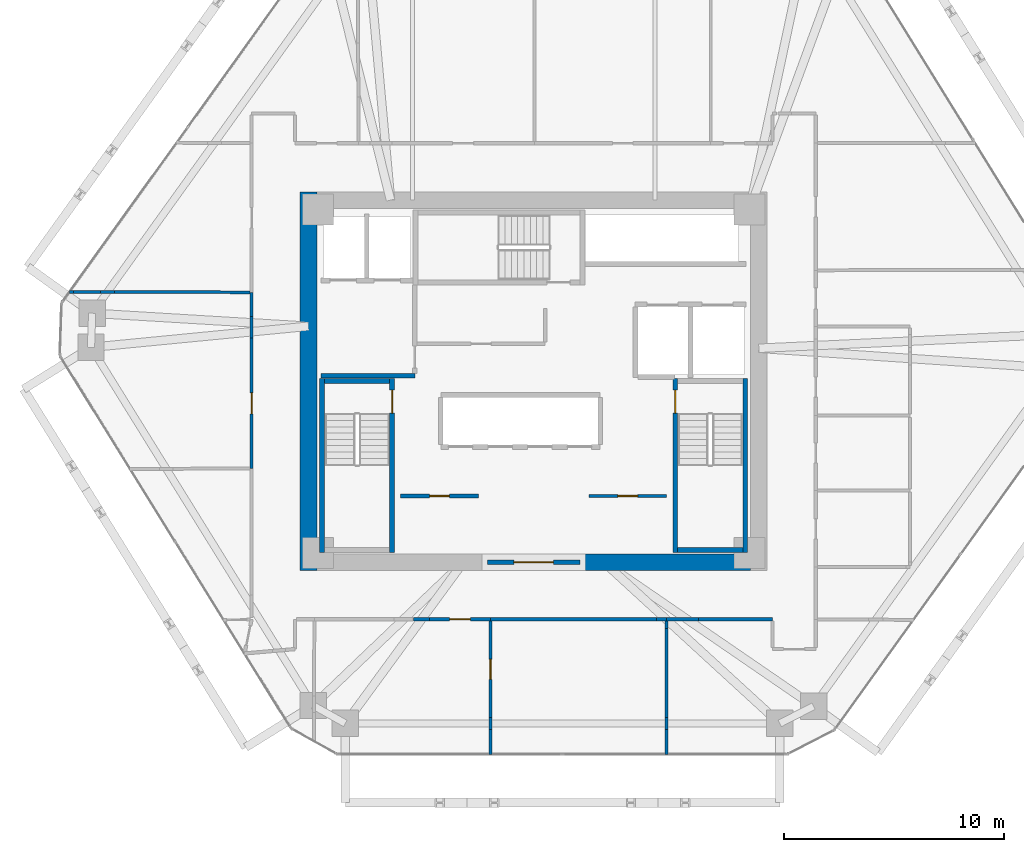
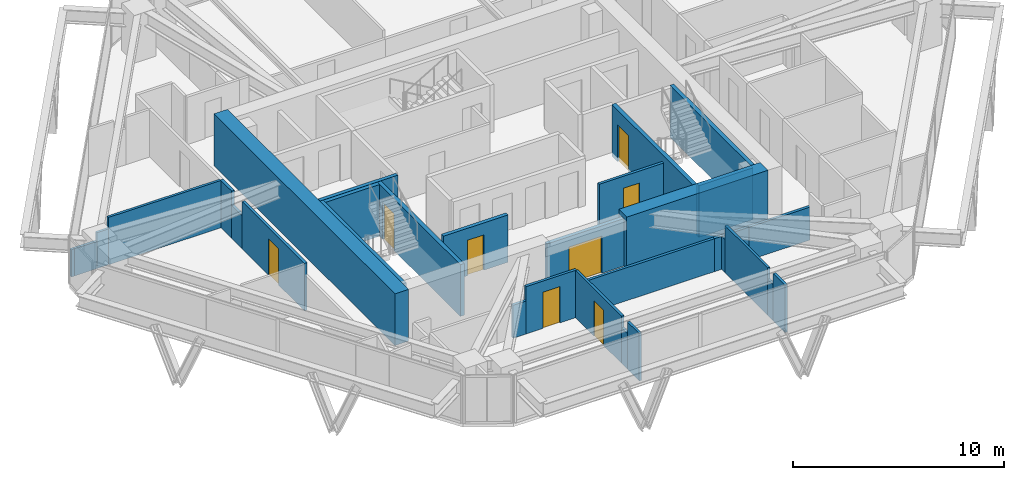
# One storey, part 10 of 14: 32 walls, 8 doors, 8 openings.
"""IFC4 building model written with IfcOpenShell, lengths in metres."""

from ifc_helpers import new_model, si_unit, direction, frame, frame_2d, origin, place, context, subcontext, project, spatial, rectangle, extrude, source, transform, mapped, material, layer, layer_set, type_object, type_shapes, element, fill, save


model = new_model("IFC4")

# Units and contexts
model_context = context("Model", 3, precision=1e-05, world=origin(), true_north=direction((0.0, 1.0)))
body_context = subcontext(model_context, "Body", "Model", "MODEL_VIEW")
ifc_project = project(units=[si_unit("LENGTHUNIT", "METRE"), si_unit("AREAUNIT", "SQUARE_METRE"), si_unit("VOLUMEUNIT", "CUBIC_METRE"), si_unit("PLANEANGLEUNIT", "RADIAN"), si_unit("MASSUNIT", "GRAM", prefix="KILO")], contexts=[model_context])

# Site, building, storey
site_placement = place(None, origin())
site = spatial("IfcSite", under=ifc_project, at=site_placement, CompositionType="ELEMENT")
building_placement = place(site_placement, origin())
building = spatial("IfcBuilding", under=site, at=building_placement, Name="Durnholm Broadcast Tower", CompositionType="ELEMENT")
storey_placement = place(building_placement, frame((0.0, 0.0, 140.10009765625)))
storey = spatial("IfcBuildingStorey", under=building, at=storey_placement, Name="L38", CompositionType="ELEMENT", Elevation=140.10009765625)

# Walls
ifc_material_1 = material(Name="Concrete C70/85", Category="concrete")
ifc_layer_1 = layer(ifc_material_1, 0.75)
ifc_layer_set_1 = layer_set([ifc_layer_1], Name="Concrete C70/85")
wall_type_1 = type_object("IfcWallType", Name="WALL-CW-750", PredefinedType="SHEAR", material=ifc_layer_set_1)
wall_1_placement = place(storey_placement, frame((-10.22509765625, -8.60009765625, 0.0), z_axis=(0.0, 0.0, 1.0), x_axis=(0.0, 1.0, 0.0)))
element("IfcWall", 1, at=wall_1_placement, inside=storey, type_object=wall_type_1, Name="L38 central core shear wall CW-WEST", PredefinedType="SHEAR", context=body_context, shape_type="SweptSolid", body=[
    extrude(rectangle(XDim=17.2001953125, YDim=0.75, at=frame_2d((8.60009765625, 0.0))), origin(), (0.0, 0.0, 1.0), 3.0),
])
wall_2_placement = place(storey_placement, frame((2.10009765625, -8.22509765625, 0.0), z_axis=(0.0, 0.0, 1.0), x_axis=(1.0, 0.0, 0.0)))
element("IfcWall", 2, at=wall_2_placement, inside=storey, type_object=wall_type_1, Name="L38 central core shear wall CW-S2", PredefinedType="SHEAR", context=body_context, shape_type="SweptSolid", body=[
    extrude(rectangle(XDim=7.75, YDim=0.75, at=frame_2d((3.875, 0.0))), origin(), (0.0, 0.0, 1.0), 3.0),
])

# Wall, opening, door
ifc_material_2 = material(Name="Fire-Rated Gypsum Shaftwall", Category="concrete")
ifc_layer_2 = layer(ifc_material_2, 0.199951171875)
ifc_layer_set_2 = layer_set([ifc_layer_2], Name="Fire-Rated Gypsum Shaftwall")
wall_type_2 = type_object("IfcWallType", Name="WALL-LOB-200", PredefinedType="SOLIDWALL", material=ifc_layer_set_2)
wall_3_placement = place(storey_placement, frame((-2.10009765625, -8.22509765625, 0.0), z_axis=(0.0, 0.0, 1.0), x_axis=(1.0, 0.0, 0.0)))
wall_3 = element("IfcWall", 3, at=wall_3_placement, inside=storey, type_object=wall_type_2, Name="L38 south core lobby fire screen", PredefinedType="SOLIDWALL", context=body_context, shape_type="SweptSolid", body=[
    extrude(rectangle(XDim=4.2001953125, YDim=0.199951171875, at=frame_2d((2.10009765625, 0.0))), origin(), (0.0, 0.0, 1.0), 2.744873046875),
])
opening_1_placement = place(wall_3_placement, frame((1.199951171875, 0.0, 0.0)))
opening_1 = element("IfcOpeningElement", 4, at=opening_1_placement, cuts=wall_3, Name="Opening DP-60", PredefinedType="OPENING", context=body_context, shape_type="SweptSolid", body=[
    extrude(rectangle(XDim=1.800048828125, YDim=2.14990234375, at=frame_2d((0.89990234375, 1.074951171875))), frame((0.0, 0.10986328125, 0.0), z_axis=(0.0, -1.0, 0.0), x_axis=(1.0, 0.0, 0.0)), (0.0, 0.0, 1.0), 0.219970703125),
])
ifc_material_3 = material(Name="Fire-Rated Double Corridor Door", Category="steel")
ifc_layer_3 = layer(ifc_material_3, 0.050048828125)
ifc_layer_set_3 = layer_set([ifc_layer_3], Name="Fire-Rated Double Corridor Door")
door_type_1 = type_object("IfcDoorType", Name="DOOR-PAIR-FD60", OperationType="DOUBLE_DOOR_SINGLE_SWING", PredefinedType="DOOR", material=ifc_layer_set_3)
shared_shape_1 = source(origin(), body_context, "Body", "SweptSolid", [
    extrude(rectangle(XDim=1.800048828125, YDim=2.14990234375, at=frame_2d((0.89990234375, 1.074951171875))), frame((0.0, 0.02490234375, 0.0), z_axis=(0.0, -1.0, 0.0), x_axis=(1.0, 0.0, 0.0)), (0.0, 0.0, 1.0), 0.050048828125),
])
type_shapes(door_type_1, [shared_shape_1])
door_1_placement = place(opening_1_placement, origin())
door_1 = element("IfcDoor", 5, at=door_1_placement, inside=storey, type_object=door_type_1, Name="L38 south core lobby double fire door", OperationType="DOUBLE_DOOR_SINGLE_SWING", OverallHeight=2.14990234375, OverallWidth=1.800048828125, PredefinedType="DOOR", context=body_context, shape_type="MappedRepresentation", body=[
    mapped(shared_shape_1, transform((0.0, 0.0, 0.0), x_axis=(1.0, 0.0, 0.0), y_axis=(0.0, 1.0, 0.0), z_axis=(0.0, 0.0, 1.0), scale=1.0)),
])
fill(opening_1, door_1)

# Wall
wall_4_placement = place(storey_placement, frame((-9.64990234375, 0.25, 0.0), z_axis=(0.0, 0.0, 1.0), x_axis=(1.0, 0.0, 0.0)))
element("IfcWall", 6, at=wall_4_placement, inside=storey, type_object=wall_type_2, Name="L38 Fire Service Access Elevator lobby south wall", PredefinedType="SOLIDWALL", context=body_context, shape_type="SweptSolid", body=[
    extrude(rectangle(XDim=4.27001953125, YDim=0.199951171875, at=frame_2d((2.135009765625, 0.0))), origin(), (0.0, 0.0, 1.0), 2.744873046875),
])

# Wall, opening, door
wall_5_placement = place(storey_placement, frame((-6.0400390625, -5.2099609375, 0.0), z_axis=(0.0, 0.0, 1.0), x_axis=(1.0, 0.0, 0.0)))
wall_5 = element("IfcWall", 7, at=wall_5_placement, inside=storey, type_object=wall_type_2, Name="L38 Broadcast Signal Rack Room corridor partition", PredefinedType="SOLIDWALL", context=body_context, shape_type="SweptSolid", body=[
    extrude(rectangle(XDim=3.530029296875, YDim=0.199951171875, at=frame_2d((1.76513671875, 0.0))), origin(), (0.0, 0.0, 1.0), 2.744873046875),
])
opening_2_placement = place(wall_5_placement, frame((1.31494140625, 0.0, 0.0)))
opening_2 = element("IfcOpeningElement", 8, at=opening_2_placement, cuts=wall_5, Name="Opening DC-60L", PredefinedType="OPENING", context=body_context, shape_type="SweptSolid", body=[
    extrude(rectangle(XDim=0.89990234375, YDim=2.050048828125, at=frame_2d((0.449951171875, 1.02490234375))), frame((0.0, 0.10986328125, 0.0), z_axis=(0.0, -1.0, 0.0), x_axis=(1.0, 0.0, 0.0)), (0.0, 0.0, 1.0), 0.219970703125),
])
ifc_material_4 = material(Name="Fire-Rated Core Service Door", Category="steel")
ifc_layer_4 = layer(ifc_material_4, 0.050048828125)
ifc_layer_set_4 = layer_set([ifc_layer_4], Name="Fire-Rated Core Service Door")
door_type_2 = type_object("IfcDoorType", Name="DOOR-CORE-FD60-L", OperationType="NOTDEFINED", PredefinedType="DOOR", material=ifc_layer_set_4)
shared_shape_2 = source(origin(), body_context, "Body", "SweptSolid", [
    extrude(rectangle(XDim=0.89990234375, YDim=2.050048828125, at=frame_2d((0.449951171875, 1.02490234375))), frame((0.0, 0.02490234375, 0.0), z_axis=(0.0, -1.0, 0.0), x_axis=(1.0, 0.0, 0.0)), (0.0, 0.0, 1.0), 0.050048828125),
])
type_shapes(door_type_2, [shared_shape_2])
door_2_placement = place(opening_2_placement, origin())
door_2 = element("IfcDoor", 9, at=door_2_placement, inside=storey, type_object=door_type_2, Name="L38 Broadcast Signal Rack Room entrance door", OperationType="SINGLE_SWING_LEFT", OverallHeight=2.050048828125, OverallWidth=0.89990234375, PredefinedType="DOOR", context=body_context, shape_type="MappedRepresentation", body=[
    mapped(shared_shape_2, transform((0.0, 0.0, 0.0), x_axis=(1.0, 0.0, 0.0), y_axis=(0.0, 1.0, 0.0), z_axis=(0.0, 0.0, 1.0), scale=1.0)),
])
fill(opening_2, door_2)

ifc_material_5 = material(Name="Gypsum Metal Stud Partition", Category="concrete")
ifc_layer_5 = layer(ifc_material_5, 0.135009765625)
ifc_layer_set_5 = layer_set([ifc_layer_5], Name="Gypsum Metal Stud Partition")
wall_type_3 = type_object("IfcWallType", Name="WALL-PART-135", PredefinedType="PARTITIONING", material=ifc_layer_set_5)
wall_6_placement = place(storey_placement, frame((-1.9599609375, -10.888916015625, 0.0), z_axis=(0.0, 0.0, 1.0), x_axis=(0.0, -1.0, 0.0)))
wall_6 = element("IfcWall", 10, at=wall_6_placement, inside=storey, type_object=wall_type_3, Name="L38 room dividing partition 12.13", PredefinedType="PARTITIONING", context=body_context, shape_type="SweptSolid", body=[
    extrude(rectangle(XDim=4.383544921875, YDim=0.135009765625, at=frame_2d((2.19189453125, 0.0))), origin(), (0.0, 0.0, 1.0), 2.744873046875),
])
opening_3_placement = place(wall_6_placement, frame((1.74169921875, 0.0, 0.0)))
opening_3 = element("IfcOpeningElement", 11, at=opening_3_placement, cuts=wall_6, Name="Opening DW-90L", PredefinedType="OPENING", context=body_context, shape_type="SweptSolid", body=[
    extrude(rectangle(XDim=0.89990234375, YDim=2.050048828125, at=frame_2d((0.449951171875, 1.02490234375))), frame((0.0, 0.07763671875, 0.0), z_axis=(0.0, -1.0, 0.0), x_axis=(1.0, 0.0, 0.0)), (0.0, 0.0, 1.0), 0.155029296875),
])
ifc_material_6 = material(Name="Laminate Restroom Door", Category="steel")
ifc_layer_6 = layer(ifc_material_6, 0.050048828125)
ifc_layer_set_6 = layer_set([ifc_layer_6], Name="Laminate Restroom Door")
door_type_3 = type_object("IfcDoorType", Name="DOOR-WC-900L", OperationType="NOTDEFINED", PredefinedType="DOOR", material=ifc_layer_set_6)
shared_shape_3 = source(origin(), body_context, "Body", "SweptSolid", [
    extrude(rectangle(XDim=0.89990234375, YDim=2.050048828125, at=frame_2d((0.449951171875, 1.02490234375))), frame((0.0, 0.02490234375, 0.0), z_axis=(0.0, -1.0, 0.0), x_axis=(1.0, 0.0, 0.0)), (0.0, 0.0, 1.0), 0.050048828125),
])
type_shapes(door_type_3, [shared_shape_3])
door_3_placement = place(opening_3_placement, origin())
door_3 = element("IfcDoor", 12, at=door_3_placement, inside=storey, type_object=door_type_3, Name="L38 Regulatory Office connecting door", OperationType="SINGLE_SWING_LEFT", OverallHeight=2.050048828125, OverallWidth=0.89990234375, PredefinedType="DOOR", context=body_context, shape_type="MappedRepresentation", body=[
    mapped(shared_shape_3, transform((0.0, 0.0, 0.0), x_axis=(1.0, 0.0, 0.0), y_axis=(0.0, 1.0, 0.0), z_axis=(0.0, 0.0, 1.0), scale=1.0)),
])
fill(opening_3, door_3)

# Walls
wall_7_placement = place(storey_placement, frame((-1.9599609375, -15.801513671875, 0.0), z_axis=(0.0, 0.0, 1.0), x_axis=(0.0, -1.0, 0.0)))
element("IfcWall", 13, at=wall_7_placement, inside=storey, type_object=wall_type_3, Name="L38 room dividing partition 12.13", PredefinedType="PARTITIONING", context=body_context, shape_type="SweptSolid", body=[
    extrude(rectangle(XDim=1.135498046875, YDim=0.135009765625, at=frame_2d((0.56787109375, 0.0))), origin(), (0.0, 0.0, 1.0), 2.744873046875),
])
wall_8_placement = place(storey_placement, frame((-1.9599609375, -15.2724609375, 0.0), z_axis=(0.0, 0.0, 1.0), x_axis=(0.0, -1.0, 0.0)))
element("IfcWall", 14, at=wall_8_placement, inside=storey, type_object=wall_type_3, Name="L38 room dividing partition 12.13", PredefinedType="PARTITIONING", context=body_context, shape_type="SweptSolid", body=[
    extrude(rectangle(XDim=0.529052734375, YDim=0.135009765625, at=frame_2d((0.2646484375, 0.0))), origin(), (0.0, 0.0, 1.0), 2.079833984375),
])
wall_9_placement = place(storey_placement, frame((6.0400390625, -11.225341796875, 0.0), z_axis=(0.0, 0.0, 1.0), x_axis=(0.0, -1.0, 0.0)))
element("IfcWall", 15, at=wall_9_placement, inside=storey, type_object=wall_type_3, Name="L38 room dividing partition 13.14", PredefinedType="PARTITIONING", context=body_context, shape_type="SweptSolid", body=[
    extrude(rectangle(XDim=4.047119140625, YDim=0.135009765625, at=frame_2d((2.0234375, 0.0))), origin(), (0.0, 0.0, 1.0), 2.744873046875),
])
wall_10_placement = place(storey_placement, frame((6.0400390625, -15.801513671875, 0.0), z_axis=(0.0, 0.0, 1.0), x_axis=(0.0, -1.0, 0.0)))
element("IfcWall", 16, at=wall_10_placement, inside=storey, type_object=wall_type_3, Name="L38 room dividing partition 13.14", PredefinedType="PARTITIONING", context=body_context, shape_type="SweptSolid", body=[
    extrude(rectangle(XDim=1.135498046875, YDim=0.135009765625, at=frame_2d((0.56787109375, 0.0))), origin(), (0.0, 0.0, 1.0), 2.744873046875),
])
wall_11_placement = place(storey_placement, frame((6.0400390625, -10.888916015625, 0.0), z_axis=(0.0, 0.0, 1.0), x_axis=(0.0, -1.0, 0.0)))
element("IfcWall", 17, at=wall_11_placement, inside=storey, type_object=wall_type_3, Name="L38 room dividing partition 13.14", PredefinedType="PARTITIONING", context=body_context, shape_type="SweptSolid", body=[
    extrude(rectangle(XDim=0.33642578125, YDim=0.135009765625, at=frame_2d((0.168212890625, 0.0))), origin(), (0.0, 0.0, 1.0), 1.912109375),
])
wall_12_placement = place(storey_placement, frame((6.0400390625, -15.2724609375, 0.0), z_axis=(0.0, 0.0, 1.0), x_axis=(0.0, -1.0, 0.0)))
element("IfcWall", 18, at=wall_12_placement, inside=storey, type_object=wall_type_3, Name="L38 room dividing partition 13.14", PredefinedType="PARTITIONING", context=body_context, shape_type="SweptSolid", body=[
    extrude(rectangle(XDim=0.529052734375, YDim=0.135009765625, at=frame_2d((0.2646484375, 0.0))), origin(), (0.0, 0.0, 1.0), 2.079833984375),
])
wall_13_placement = place(storey_placement, frame((-20.9013671875, 4.062744140625, 0.0), z_axis=(0.0, 0.0, 1.0), x_axis=(0.999996083157, -0.002798869485, 0.0)))
element("IfcWall", 19, at=wall_13_placement, inside=storey, type_object=wall_type_3, Name="L38 room dividing partition 16.17", PredefinedType="PARTITIONING", context=body_context, shape_type="SweptSolid", body=[
    extrude(rectangle(XDim=1.22119140625, YDim=0.135009765625, at=frame_2d((0.610595703125, 0.0))), origin(), (0.0, 0.0, 1.0), 1.576904296875),
])
wall_14_placement = place(storey_placement, frame((-19.030029296875, 4.0576171875, 0.0), z_axis=(0.0, 0.0, 1.0), x_axis=(0.999996016453, -0.002822601462, 0.0)))
element("IfcWall", 20, at=wall_14_placement, inside=storey, type_object=wall_type_3, Name="L38 room dividing partition 16.17", PredefinedType="PARTITIONING", context=body_context, shape_type="SweptSolid", body=[
    extrude(rectangle(XDim=6.14111328125, YDim=0.135009765625, at=frame_2d((3.070556640625, 0.0))), origin(), (0.0, 0.0, 1.0), 2.744873046875),
])
wall_15_placement = place(storey_placement, frame((-21.075439453125, 4.063232421875, 0.0), z_axis=(0.0, 0.0, 1.0), x_axis=(0.999996065873, -0.002805038053, 0.0)))
element("IfcWall", 21, at=wall_15_placement, inside=storey, type_object=wall_type_3, Name="L38 room dividing partition 16.17", PredefinedType="PARTITIONING", context=body_context, shape_type="SweptSolid", body=[
    extrude(rectangle(XDim=0.174072265625, YDim=0.135009765625, at=frame_2d((0.0869140625, 0.0))), origin(), (0.0, 0.0, 1.0), 1.576904296875),
])
wall_16_placement = place(storey_placement, frame((-19.68017578125, 4.059326171875, 0.0), z_axis=(0.0, 0.0, 1.0), x_axis=(0.999996545211, -0.002628605263, 0.0)))
element("IfcWall", 22, at=wall_16_placement, inside=storey, type_object=wall_type_3, Name="L38 room dividing partition 16.17", PredefinedType="PARTITIONING", context=body_context, shape_type="SweptSolid", body=[
    extrude(rectangle(XDim=0.650146484375, YDim=0.135009765625, at=frame_2d((0.3251953125, 0.0))), origin(), (0.0, 0.0, 1.0), 2.079833984375),
])

# Wall, opening, door
ifc_material_7 = material(Name="Acoustic Gypsum Stud Partition", Category="concrete")
ifc_layer_7 = layer(ifc_material_7, 0.14990234375)
ifc_layer_set_7 = layer_set([ifc_layer_7], Name="Acoustic Gypsum Stud Partition")
wall_type_4 = type_object("IfcWallType", Name="WALL-PART-150", PredefinedType="PARTITIONING", material=ifc_layer_set_7)
wall_17_placement = place(storey_placement, frame((2.510009765625, -5.2099609375, 0.0), z_axis=(0.0, 0.0, 1.0), x_axis=(1.0, 0.0, 0.0)))
wall_17 = element("IfcWall", 23, at=wall_17_placement, inside=storey, type_object=wall_type_4, Name="L38 Editorial Beverage Pantry corridor partition", PredefinedType="PARTITIONING", context=body_context, shape_type="SweptSolid", body=[
    extrude(rectangle(XDim=3.530029296875, YDim=0.14990234375, at=frame_2d((1.76513671875, 0.0))), origin(), (0.0, 0.0, 1.0), 2.744873046875),
])
opening_4_placement = place(wall_17_placement, frame((1.31494140625, 0.0, 0.0)))
opening_4 = element("IfcOpeningElement", 24, at=opening_4_placement, cuts=wall_17, Name="Opening DC-60R", PredefinedType="OPENING", context=body_context, shape_type="SweptSolid", body=[
    extrude(rectangle(XDim=0.89990234375, YDim=2.050048828125, at=frame_2d((0.449951171875, 1.02490234375))), frame((0.0, 0.0849609375, 0.0), z_axis=(0.0, -1.0, 0.0), x_axis=(1.0, 0.0, 0.0)), (0.0, 0.0, 1.0), 0.169921875),
])
ifc_layer_8 = layer(ifc_material_4, 0.050048828125)
ifc_layer_set_8 = layer_set([ifc_layer_8], Name="Fire-Rated Core Service Door")
door_type_4 = type_object("IfcDoorType", Name="DOOR-CORE-FD60-R", OperationType="NOTDEFINED", PredefinedType="DOOR", material=ifc_layer_set_8)
shared_shape_4 = source(origin(), body_context, "Body", "SweptSolid", [
    extrude(rectangle(XDim=0.89990234375, YDim=2.050048828125, at=frame_2d((0.449951171875, 1.02490234375))), frame((0.0, 0.02490234375, 0.0), z_axis=(0.0, -1.0, 0.0), x_axis=(1.0, 0.0, 0.0)), (0.0, 0.0, 1.0), 0.050048828125),
])
type_shapes(door_type_4, [shared_shape_4])
door_4_placement = place(opening_4_placement, origin())
door_4 = element("IfcDoor", 25, at=door_4_placement, inside=storey, type_object=door_type_4, Name="L38 Editorial Beverage Pantry entrance door", OperationType="SINGLE_SWING_RIGHT", OverallHeight=2.050048828125, OverallWidth=0.89990234375, PredefinedType="DOOR", context=body_context, shape_type="MappedRepresentation", body=[
    mapped(shared_shape_4, transform((0.0, 0.0, 0.0), x_axis=(1.0, 0.0, 0.0), y_axis=(0.0, 1.0, 0.0), z_axis=(0.0, 0.0, 1.0), scale=1.0)),
])
fill(opening_4, door_4)

wall_18_placement = place(storey_placement, frame((-4.7294921875, -10.81005859375, 0.0), z_axis=(0.0, 0.0, 1.0), x_axis=(1.0, 0.0, 0.0)))
wall_18 = element("IfcWall", 26, at=wall_18_placement, inside=storey, type_object=wall_type_4, Name="L38 Deposition Meeting Room corridor partition", PredefinedType="PARTITIONING", context=body_context, shape_type="SweptSolid", body=[
    extrude(rectangle(XDim=2.76953125, YDim=0.14990234375, at=frame_2d((1.384765625, 0.0))), origin(), (0.0, 0.0, 1.0), 2.744873046875),
])
opening_5_placement = place(wall_18_placement, frame((0.909912109375, 0.0, 0.0)))
opening_5 = element("IfcOpeningElement", 27, at=opening_5_placement, cuts=wall_18, Name="Opening DR-95R", PredefinedType="OPENING", context=body_context, shape_type="SweptSolid", body=[
    extrude(rectangle(XDim=0.949951171875, YDim=2.10009765625, at=frame_2d((0.47509765625, 1.050048828125))), frame((0.0, 0.0849609375, 0.0), z_axis=(0.0, -1.0, 0.0), x_axis=(1.0, 0.0, 0.0)), (0.0, 0.0, 1.0), 0.169921875),
])
ifc_material_8 = material(Name="Acoustic Oak Veneer Timber Door", Category="wood")
ifc_layer_9 = layer(ifc_material_8, 0.050048828125)
ifc_layer_set_9 = layer_set([ifc_layer_9], Name="Acoustic Oak Veneer Timber Door")
door_type_5 = type_object("IfcDoorType", Name="DOOR-RM-950R", OperationType="NOTDEFINED", PredefinedType="DOOR", material=ifc_layer_set_9)
shared_shape_5 = source(origin(), body_context, "Body", "SweptSolid", [
    extrude(rectangle(XDim=0.949951171875, YDim=2.10009765625, at=frame_2d((0.47509765625, 1.050048828125))), frame((0.0, 0.02490234375, 0.0), z_axis=(0.0, -1.0, 0.0), x_axis=(1.0, 0.0, 0.0)), (0.0, 0.0, 1.0), 0.050048828125),
])
type_shapes(door_type_5, [shared_shape_5])
door_5_placement = place(opening_5_placement, origin())
door_5 = element("IfcDoor", 28, at=door_5_placement, inside=storey, type_object=door_type_5, Name="L38 Deposition Meeting Room entrance door", OperationType="SINGLE_SWING_RIGHT", OverallHeight=2.10009765625, OverallWidth=0.949951171875, PredefinedType="DOOR", context=body_context, shape_type="MappedRepresentation", body=[
    mapped(shared_shape_5, transform((0.0, 0.0, 0.0), x_axis=(1.0, 0.0, 0.0), y_axis=(0.0, 1.0, 0.0), z_axis=(0.0, 0.0, 1.0), scale=1.0)),
])
fill(opening_5, door_5)

# Walls
wall_19_placement = place(storey_placement, frame((-5.45458984375, -10.81005859375, 0.0), z_axis=(0.0, 0.0, 1.0), x_axis=(1.0, 0.0, 0.0)))
element("IfcWall", 29, at=wall_19_placement, inside=storey, type_object=wall_type_4, Name="L38 Deposition Meeting Room corridor partition", PredefinedType="PARTITIONING", context=body_context, shape_type="SweptSolid", body=[
    extrude(rectangle(XDim=0.72509765625, YDim=0.14990234375, at=frame_2d((0.362548828125, 0.0))), origin(), (0.0, 0.0, 1.0), 1.912109375),
])
wall_20_placement = place(storey_placement, frame((-1.9599609375, -10.81005859375, 0.0), z_axis=(0.0, 0.0, 1.0), x_axis=(1.0, 0.0, 0.0)))
element("IfcWall", 30, at=wall_20_placement, inside=storey, type_object=wall_type_4, Name="L38 Regulatory Office corridor partition", PredefinedType="PARTITIONING", context=body_context, shape_type="SweptSolid", body=[
    extrude(rectangle(XDim=7.546875, YDim=0.14990234375, at=frame_2d((3.7734375, 0.0))), origin(), (0.0, 0.0, 1.0), 1.912109375),
])
wall_21_placement = place(storey_placement, frame((5.5869140625, -10.81005859375, 0.0), z_axis=(0.0, 0.0, 1.0), x_axis=(1.0, 0.0, 0.0)))
element("IfcWall", 31, at=wall_21_placement, inside=storey, type_object=wall_type_4, Name="L38 Regulatory Office corridor partition", PredefinedType="PARTITIONING", context=body_context, shape_type="SweptSolid", body=[
    extrude(rectangle(XDim=0.453125, YDim=0.14990234375, at=frame_2d((0.2265625, 0.0))), origin(), (0.0, 0.0, 1.0), 1.912109375),
])
wall_22_placement = place(storey_placement, frame((7.484130859375, -10.81005859375, 0.0), z_axis=(0.0, 0.0, 1.0), x_axis=(1.0, 0.0, 0.0)))
element("IfcWall", 32, at=wall_22_placement, inside=storey, type_object=wall_type_4, Name="L38 Open Plan Broadcast Workspace 3 corridor partition", PredefinedType="PARTITIONING", context=body_context, shape_type="SweptSolid", body=[
    extrude(rectangle(XDim=3.35595703125, YDim=0.14990234375, at=frame_2d((1.677978515625, 0.0))), origin(), (0.0, 0.0, 1.0), 1.912109375),
])
wall_23_placement = place(storey_placement, frame((6.0400390625, -10.81005859375, 0.0), z_axis=(0.0, 0.0, 1.0), x_axis=(1.0, 0.0, 0.0)))
element("IfcWall", 33, at=wall_23_placement, inside=storey, type_object=wall_type_4, Name="L38 Open Plan Broadcast Workspace 3 corridor partition", PredefinedType="PARTITIONING", context=body_context, shape_type="SweptSolid", body=[
    extrude(rectangle(XDim=1.444091796875, YDim=0.14990234375, at=frame_2d((0.72216796875, 0.0))), origin(), (0.0, 0.0, 1.0), 1.912109375),
])
wall_24_placement = place(storey_placement, frame((-12.81005859375, 4.0400390625, 0.0), z_axis=(0.0, 0.0, 1.0), x_axis=(0.0, -1.0, 0.0)))
element("IfcWall", 34, at=wall_24_placement, inside=storey, type_object=wall_type_4, Name="L38 Compliance Office 2 corridor partition", PredefinedType="PARTITIONING", context=body_context, shape_type="SweptSolid", body=[
    extrude(rectangle(XDim=1.091552734375, YDim=0.14990234375, at=frame_2d((0.5458984375, 0.0))), origin(), (0.0, 0.0, 1.0), 2.744873046875),
])

# Wall, opening, door
wall_25_placement = place(storey_placement, frame((-12.81005859375, 1.955322265625, 0.0), z_axis=(0.0, 0.0, 1.0), x_axis=(0.0, -1.0, 0.0)))
wall_25 = element("IfcWall", 35, at=wall_25_placement, inside=storey, type_object=wall_type_4, Name="L38 Compliance Office 2 corridor partition", PredefinedType="PARTITIONING", context=body_context, shape_type="SweptSolid", body=[
    extrude(rectangle(XDim=5.915283203125, YDim=0.14990234375, at=frame_2d((2.95751953125, 0.0))), origin(), (0.0, 0.0, 1.0), 2.744873046875),
])
opening_6_placement = place(wall_25_placement, frame((2.482666015625, 0.0, 0.0)))
opening_6 = element("IfcOpeningElement", 36, at=opening_6_placement, cuts=wall_25, Name="Opening DR-95R", PredefinedType="OPENING", context=body_context, shape_type="SweptSolid", body=[
    extrude(rectangle(XDim=0.949951171875, YDim=2.10009765625, at=frame_2d((0.47509765625, 1.050048828125))), frame((0.0, 0.0849609375, 0.0), z_axis=(0.0, -1.0, 0.0), x_axis=(1.0, 0.0, 0.0)), (0.0, 0.0, 1.0), 0.169921875),
])
door_6_placement = place(opening_6_placement, origin())
door_6 = element("IfcDoor", 37, at=door_6_placement, inside=storey, type_object=door_type_5, Name="L38 Compliance Office 2 entrance door", OperationType="SINGLE_SWING_RIGHT", OverallHeight=2.10009765625, OverallWidth=0.949951171875, PredefinedType="DOOR", context=body_context, shape_type="MappedRepresentation", body=[
    mapped(shared_shape_5, transform((0.0, 0.0, 0.0), x_axis=(1.0, 0.0, 0.0), y_axis=(0.0, 1.0, 0.0), z_axis=(0.0, 0.0, 1.0), scale=1.0)),
])
fill(opening_6, door_6)

# Wall
wall_26_placement = place(storey_placement, frame((-12.81005859375, 2.948486328125, 0.0), z_axis=(0.0, 0.0, 1.0), x_axis=(0.0, -1.0, 0.0)))
element("IfcWall", 38, at=wall_26_placement, inside=storey, type_object=wall_type_4, Name="L38 Compliance Office 2 corridor partition", PredefinedType="PARTITIONING", context=body_context, shape_type="SweptSolid", body=[
    extrude(rectangle(XDim=0.9931640625, YDim=0.14990234375, at=frame_2d((0.49658203125, 0.0))), origin(), (0.0, 0.0, 1.0), 1.912109375),
])

# Wall, opening, door
ifc_material_9 = material(Name="Concrete C50/60", Category="concrete")
ifc_layer_10 = layer(ifc_material_9, 0.219970703125)
ifc_layer_set_10 = layer_set([ifc_layer_10], Name="Concrete C50/60")
wall_type_5 = type_object("IfcWallType", Name="WALL-SW-220", PredefinedType="SHEAR", material=ifc_layer_set_10)
wall_27_placement = place(storey_placement, frame((-6.429931640625, -7.77001953125, -0.239990234375), z_axis=(0.0, 0.0, 1.0), x_axis=(0.0, 1.0, 0.0)))
wall_27 = element("IfcWall", 39, at=wall_27_placement, inside=storey, type_object=wall_type_5, Name="L38 stair ST-1 structural shaft wall E", PredefinedType="SHEAR", context=body_context, shape_type="SweptSolid", body=[
    extrude(rectangle(XDim=7.89013671875, YDim=0.219970703125, at=frame_2d((3.945068359375, 0.0))), origin(), (0.0, 0.0, 1.0), 3.0),
])
opening_7_placement = place(wall_27_placement, frame((6.320068359375, 0.0, 0.0)))
opening_7 = element("IfcOpeningElement", 40, at=opening_7_placement, cuts=wall_27, Name="Opening DS-90L", PredefinedType="OPENING", context=body_context, shape_type="SweptSolid", body=[
    extrude(rectangle(XDim=1.050048828125, YDim=2.14990234375, at=frame_2d((0.52490234375, 1.074951171875))), frame((0.0, 0.1201171875, 0.0), z_axis=(0.0, -1.0, 0.0), x_axis=(1.0, 0.0, 0.0)), (0.0, 0.0, 1.0), 0.239990234375),
])
ifc_material_10 = material(Name="Fire-Rated Steel Door", Category="steel")
ifc_layer_11 = layer(ifc_material_10, 0.050048828125)
ifc_layer_set_11 = layer_set([ifc_layer_11], Name="Fire-Rated Steel Door")
door_type_6 = type_object("IfcDoorType", Name="DOOR-ST-FD90-L", OperationType="NOTDEFINED", PredefinedType="DOOR", material=ifc_layer_set_11)
shared_shape_6 = source(origin(), body_context, "Body", "SweptSolid", [
    extrude(rectangle(XDim=1.050048828125, YDim=2.14990234375, at=frame_2d((0.52490234375, 1.074951171875))), frame((0.0, 0.02490234375, 0.0), z_axis=(0.0, -1.0, 0.0), x_axis=(1.0, 0.0, 0.0)), (0.0, 0.0, 1.0), 0.050048828125),
])
type_shapes(door_type_6, [shared_shape_6])
door_7_placement = place(opening_7_placement, origin())
door_7 = element("IfcDoor", 41, at=door_7_placement, inside=storey, type_object=door_type_6, Name="L38 exit stair ST-1 fire door", OperationType="SINGLE_SWING_LEFT", OverallHeight=2.14990234375, OverallWidth=1.050048828125, PredefinedType="DOOR", context=body_context, shape_type="MappedRepresentation", body=[
    mapped(shared_shape_6, transform((0.0, 0.0, 0.0), x_axis=(1.0, 0.0, 0.0), y_axis=(0.0, 1.0, 0.0), z_axis=(0.0, 0.0, 1.0), scale=1.0)),
])
fill(opening_7, door_7)

# Walls
wall_28_placement = place(storey_placement, frame((-9.610107421875, 0.1201171875, -0.239990234375), z_axis=(0.0, 0.0, 1.0), x_axis=(0.0, -1.0, 0.0)))
element("IfcWall", 42, at=wall_28_placement, inside=storey, type_object=wall_type_5, Name="L38 stair ST-1 structural shaft wall W", PredefinedType="SHEAR", context=body_context, shape_type="SweptSolid", body=[
    extrude(rectangle(XDim=7.89013671875, YDim=0.219970703125, at=frame_2d((3.945068359375, 0.0))), origin(), (0.0, 0.0, 1.0), 3.0),
])
wall_29_placement = place(storey_placement, frame((-6.5400390625, 0.010009765625, -0.239990234375), z_axis=(0.0, 0.0, 1.0), x_axis=(-1.0, 0.0, 0.0)))
element("IfcWall", 43, at=wall_29_placement, inside=storey, type_object=wall_type_5, Name="L38 stair ST-1 structural shaft wall N", PredefinedType="SHEAR", context=body_context, shape_type="SweptSolid", body=[
    extrude(rectangle(XDim=2.9599609375, YDim=0.219970703125, at=frame_2d((1.47998046875, 0.0))), origin(), (0.0, 0.0, 1.0), 3.0),
])
wall_30_placement = place(storey_placement, frame((9.610107421875, -7.77001953125, -0.239990234375), z_axis=(0.0, 0.0, 1.0), x_axis=(0.0, 1.0, 0.0)))
element("IfcWall", 44, at=wall_30_placement, inside=storey, type_object=wall_type_5, Name="L38 stair ST-2 structural shaft wall E", PredefinedType="SHEAR", context=body_context, shape_type="SweptSolid", body=[
    extrude(rectangle(XDim=7.89013671875, YDim=0.219970703125, at=frame_2d((3.945068359375, 0.0))), origin(), (0.0, 0.0, 1.0), 3.0),
])

# Wall, opening, door
wall_31_placement = place(storey_placement, frame((6.429931640625, 0.1201171875, -0.239990234375), z_axis=(0.0, 0.0, 1.0), x_axis=(0.0, -1.0, 0.0)))
wall_31 = element("IfcWall", 45, at=wall_31_placement, inside=storey, type_object=wall_type_5, Name="L38 stair ST-2 structural shaft wall W", PredefinedType="SHEAR", context=body_context, shape_type="SweptSolid", body=[
    extrude(rectangle(XDim=7.89013671875, YDim=0.219970703125, at=frame_2d((3.945068359375, 0.0))), origin(), (0.0, 0.0, 1.0), 3.0),
])
opening_8_placement = place(wall_31_placement, frame((0.52001953125, 0.0, 0.0)))
opening_8 = element("IfcOpeningElement", 46, at=opening_8_placement, cuts=wall_31, Name="Opening DS-90R", PredefinedType="OPENING", context=body_context, shape_type="SweptSolid", body=[
    extrude(rectangle(XDim=1.050048828125, YDim=2.14990234375, at=frame_2d((0.52490234375, 1.074951171875))), frame((0.0, 0.1201171875, 0.0), z_axis=(0.0, -1.0, 0.0), x_axis=(1.0, 0.0, 0.0)), (0.0, 0.0, 1.0), 0.239990234375),
])
ifc_layer_12 = layer(ifc_material_10, 0.050048828125)
ifc_layer_set_12 = layer_set([ifc_layer_12], Name="Fire-Rated Steel Door")
door_type_7 = type_object("IfcDoorType", Name="DOOR-ST-FD90-R", OperationType="NOTDEFINED", PredefinedType="DOOR", material=ifc_layer_set_12)
shared_shape_7 = source(origin(), body_context, "Body", "SweptSolid", [
    extrude(rectangle(XDim=1.050048828125, YDim=2.14990234375, at=frame_2d((0.52490234375, 1.074951171875))), frame((0.0, 0.02490234375, 0.0), z_axis=(0.0, -1.0, 0.0), x_axis=(1.0, 0.0, 0.0)), (0.0, 0.0, 1.0), 0.050048828125),
])
type_shapes(door_type_7, [shared_shape_7])
door_8_placement = place(opening_8_placement, origin())
door_8 = element("IfcDoor", 47, at=door_8_placement, inside=storey, type_object=door_type_7, Name="L38 exit stair ST-2 fire door", OperationType="SINGLE_SWING_RIGHT", OverallHeight=2.14990234375, OverallWidth=1.050048828125, PredefinedType="DOOR", context=body_context, shape_type="MappedRepresentation", body=[
    mapped(shared_shape_7, transform((0.0, 0.0, 0.0), x_axis=(1.0, 0.0, 0.0), y_axis=(0.0, 1.0, 0.0), z_axis=(0.0, 0.0, 1.0), scale=1.0)),
])
fill(opening_8, door_8)

# Wall
wall_32_placement = place(storey_placement, frame((6.5400390625, -7.659912109375, -0.239990234375), z_axis=(0.0, 0.0, 1.0), x_axis=(1.0, 0.0, 0.0)))
element("IfcWall", 48, at=wall_32_placement, inside=storey, type_object=wall_type_5, Name="L38 stair ST-2 structural shaft wall S", PredefinedType="SHEAR", context=body_context, shape_type="SweptSolid", body=[
    extrude(rectangle(XDim=2.9599609375, YDim=0.219970703125, at=frame_2d((1.47998046875, 0.0))), origin(), (0.0, 0.0, 1.0), 3.0),
])

save(model, "model.ifc")
